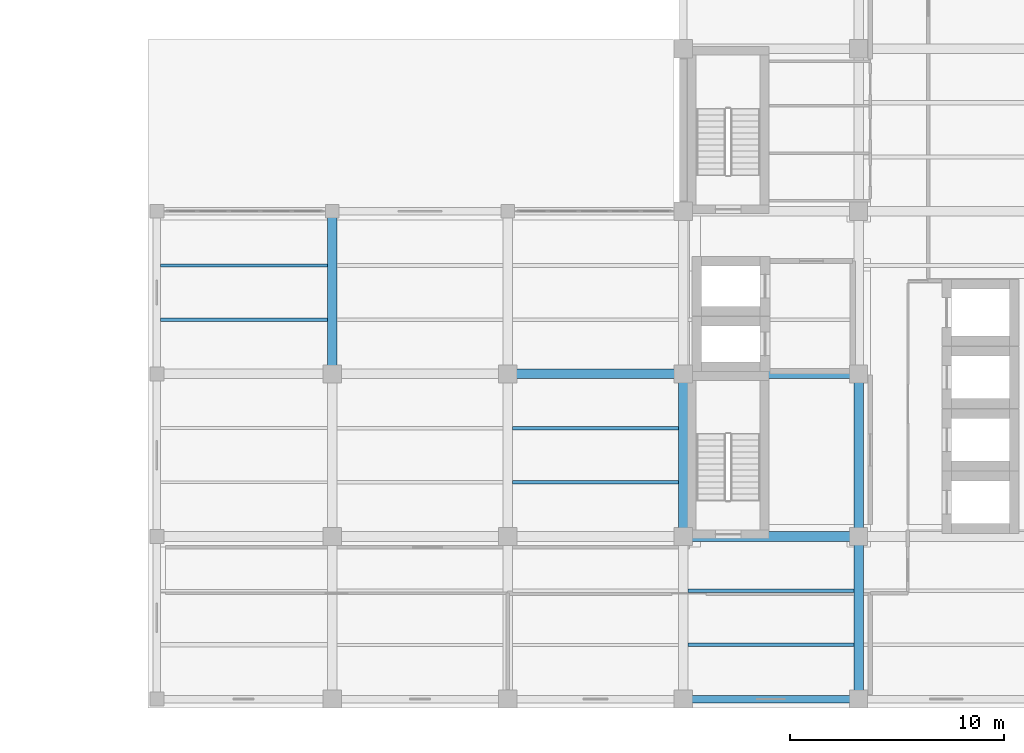
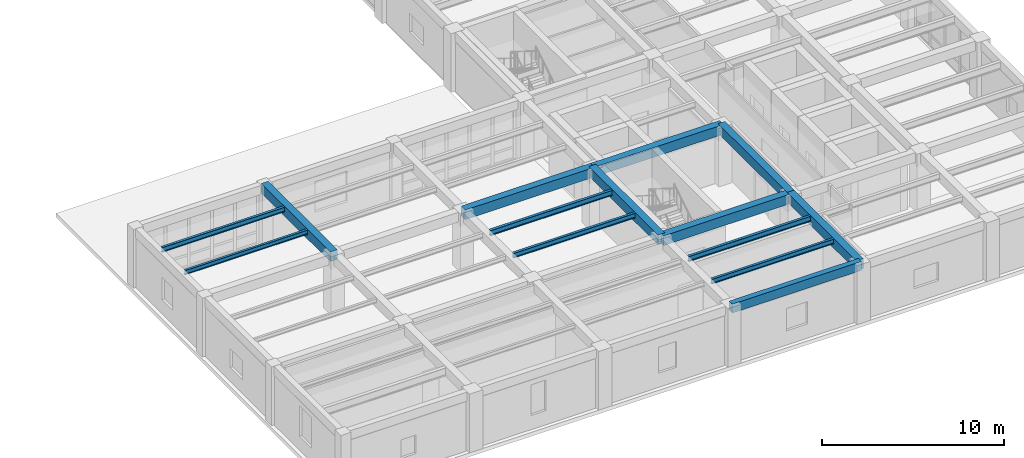
# One storey, part 3 of 22: 14 beams.
"""IFC4 building model written with IfcOpenShell, lengths in metres."""

import ifcopenshell
import ifcopenshell.guid

model = None  # the IFC model being written
_history = None  # IfcOwnerHistory: only IFC2X3 demands one
_inside = {}  # id of a spatial element -> (the spatial element, [elements in it])
_under = {}  # id of a project, library or spatial element -> (it, [spatial elements below it])
_declared = {}  # id of a project -> (the project, [libraries it declares])
_typed = {}  # id of a type object -> (the type object, [elements of that type])
_made_of = {}  # id of a material, layer set ... -> (it, [elements and type objects made of it])


def new_model(schema):
    """Start an empty IFC model of exactly this schema.

    Asked for "IFC4X3", IfcOpenShell would pick the latest addendum, in which some entities
    have other attributes; the version numbers below select the first issue.
    IFC2X3 requires an IfcOwnerHistory on every rooted entity: one is made here for all.
    """
    global model, _history
    if schema == "IFC4X3":
        model = ifcopenshell.file(schema_version=(4, 3, 0, 0))
    else:
        model = ifcopenshell.file(schema=schema)
    _inside.clear()
    _under.clear()
    _declared.clear()
    _typed.clear()
    _made_of.clear()
    _history = None
    if model.schema == "IFC2X3":
        org = make("IfcOrganization", Name="unknown")
        user = make(
            "IfcPersonAndOrganization",
            ThePerson=make("IfcPerson", FamilyName="unknown"),
            TheOrganization=org,
        )
        app = make(
            "IfcApplication",
            ApplicationDeveloper=org,
            Version="unknown",
            ApplicationFullName="unknown",
            ApplicationIdentifier="unknown",
        )
        _history = make(
            "IfcOwnerHistory",
            OwningUser=user,
            OwningApplication=app,
            ChangeAction="ADDED",
            CreationDate=0,
        )
    return model


def make(cls, **values):
    """One entity of the class cls with the attributes given. An attribute that is None is left unset."""
    return model.create_entity(
        cls, **{name: value for name, value in values.items() if value is not None}
    )


def rooted(cls, **values):
    """An entity with a GlobalId (a new one), such as an element, a storey or a relation."""
    return make(cls, GlobalId=ifcopenshell.guid.new(), OwnerHistory=_history, **values)


def si_unit(unit_type, name, prefix=None):
    """IfcSIUnit, for example si_unit("LENGTHUNIT", "METRE", prefix="MILLI")."""
    return make("IfcSIUnit", UnitType=unit_type, Prefix=prefix, Name=name)


def assignment(units):
    """IfcUnitAssignment: the units of a project."""
    return None if units is None else make("IfcUnitAssignment", Units=units)


def point(xyz):
    """IfcCartesianPoint."""
    return None if xyz is None else make("IfcCartesianPoint", Coordinates=xyz)


def direction(xyz):
    """IfcDirection."""
    return None if xyz is None else make("IfcDirection", DirectionRatios=xyz)


def frame(location, z_axis=None, x_axis=None):
    """IfcAxis2Placement3D, a coordinate frame: its origin and axes. An axis left out is left unset."""
    return make(
        "IfcAxis2Placement3D",
        Location=point(location),
        Axis=direction(z_axis),
        RefDirection=direction(x_axis),
    )


def frame_2d(location, x_axis=None):
    """IfcAxis2Placement2D, a coordinate frame in the plane: its origin and x axis."""
    return make(
        "IfcAxis2Placement2D", Location=point(location), RefDirection=direction(x_axis)
    )


def origin():
    """The frame at (0, 0, 0) with its axes left unset."""
    return frame((0.0, 0.0, 0.0))


def origin_2d():
    """The frame at (0, 0) in the plane with its x axis left unset."""
    return frame_2d((0.0, 0.0))


def place(relative_to, where):
    """IfcLocalPlacement: puts the frame where relative to a parent placement (None: the world)."""
    return make(
        "IfcLocalPlacement", PlacementRelTo=relative_to, RelativePlacement=where
    )


def context(
    kind, dimensions, precision=None, world=None, true_north=None, identifier=None
):
    """IfcGeometricRepresentationContext, for example the 3D "Model" context."""
    return make(
        "IfcGeometricRepresentationContext",
        ContextIdentifier=identifier,
        ContextType=kind,
        CoordinateSpaceDimension=dimensions,
        Precision=precision,
        WorldCoordinateSystem=world,
        TrueNorth=true_north,
    )


def subcontext(parent, identifier, kind, view, scale=None):
    """IfcGeometricRepresentationSubContext, for example "Body" below "Model"."""
    return make(
        "IfcGeometricRepresentationSubContext",
        ContextIdentifier=identifier,
        ContextType=kind,
        ParentContext=parent,
        TargetScale=scale,
        TargetView=view,
    )


def project(units=None, contexts=None):
    """IfcProject with its units and contexts."""
    return rooted(
        "IfcProject",
        Name="project",
        RepresentationContexts=contexts,
        UnitsInContext=assignment(units),
    )


def spatial(cls, under=None, at=None, **own):
    """A site, building, storey or space (cls), placed at a placement, below another one or the project."""
    s = rooted(cls, ObjectPlacement=at, **own)
    if under is not None:
        _under.setdefault(under.id(), (under, []))[1].append(s)
    return s


def profile(cls, at=None, kind="AREA", **sizes):
    """A parametric profile (cls). Its sizes go by their IFC names, for example OverallWidth=200.0."""
    return make(cls, ProfileType=kind, Position=at, **sizes)


def rectangle(**sizes):
    """IfcRectangleProfileDef."""
    return profile("IfcRectangleProfileDef", **sizes)


def i_section(**sizes):
    """IfcIShapeProfileDef."""
    return profile("IfcIShapeProfileDef", **sizes)


def extrude(swept, where, along, depth):
    """IfcExtrudedAreaSolid: the profile swept, set in the frame where, extruded along a direction by depth."""
    return make(
        "IfcExtrudedAreaSolid",
        SweptArea=swept,
        Position=where,
        ExtrudedDirection=direction(along),
        Depth=depth,
    )


def shape(context_of_items, identifier, shape_type, items):
    """IfcShapeRepresentation: the items that make up one representation, for example the "Body"."""
    return make(
        "IfcShapeRepresentation",
        ContextOfItems=context_of_items,
        RepresentationIdentifier=identifier,
        RepresentationType=shape_type,
        Items=items,
    )


def material(Name=None, Category=None):
    """IfcMaterial."""
    return make("IfcMaterial", Name=Name, Category=Category)


def material_profile(
    of_material, cross_section, Name=None, Category=None, Priority=None
):
    """IfcMaterialProfile: a cross section and its material."""
    return make(
        "IfcMaterialProfile",
        Name=Name,
        Material=of_material,
        Profile=cross_section,
        Priority=Priority,
        Category=Category,
    )


def profile_set(profiles, Name=None, composite=None):
    """IfcMaterialProfileSet."""
    return make(
        "IfcMaterialProfileSet",
        Name=Name,
        MaterialProfiles=profiles,
        CompositeProfile=composite,
    )


def made_of(thing, what):
    """Note that an element or type object is made of a material, layer set ...; save() writes the relation."""
    if what is not None:
        _made_of.setdefault(what.id(), (what, []))[1].append(thing)
    return thing


def type_object(cls, material=None, **own):
    """A type object (cls), such as IfcWallType, which elements share."""
    return made_of(rooted(cls, **own), material)


def element(
    cls,
    number,
    at=None,
    inside=None,
    cuts=None,
    type_object=None,
    material=None,
    context=None,
    identifier="Body",
    shape_type=None,
    held_by="IfcProductDefinitionShape",
    body=None,
    shapes=None,
    **own,
):
    """One element of the class cls, such as IfcWall. Its Tag is "e" and its number.

    at: its placement. inside: the storey or other place that contains it. cuts: it is an
    opening in that element (IfcRelVoidsElement). A single representation is given by context,
    identifier, shape_type and body (its items); several are given by shapes. held_by: the class
    of the entity that holds the representations. save() writes the other relations.
    """
    e = rooted(cls, Tag="e%d" % number, ObjectPlacement=at, **own)
    if body is not None:
        shapes = [shape(context, identifier, shape_type, body)]
    if shapes is not None:
        e.Representation = make(held_by, Representations=shapes)
    if inside is not None:
        _inside.setdefault(inside.id(), (inside, []))[1].append(e)
    if cuts is not None:
        rooted(
            "IfcRelVoidsElement", RelatingBuildingElement=cuts, RelatedOpeningElement=e
        )
    if type_object is not None:
        _typed.setdefault(type_object.id(), (type_object, []))[1].append(e)
    return made_of(e, material)


def aggregate(whole, parts):
    """IfcRelAggregates: a whole, such as a stair, and the parts it consists of."""
    return rooted("IfcRelAggregates", RelatingObject=whole, RelatedObjects=parts)


def save(model, path):
    """Write the relations noted so far, then the file.

    IfcRelAggregates (storeys below a building ...), IfcRelContainedInSpatialStructure (elements
    in a storey), IfcRelDefinesByType, IfcRelAssociatesMaterial and IfcRelDeclares: one each for
    every whole, place, type object, material and project.
    """
    for whole, parts in _under.values():
        aggregate(whole, parts)
    for where, things in _inside.values():
        rooted(
            "IfcRelContainedInSpatialStructure",
            RelatedElements=things,
            RelatingStructure=where,
        )
    for kind, things in _typed.values():
        rooted("IfcRelDefinesByType", RelatedObjects=things, RelatingType=kind)
    for what, things in _made_of.values():
        rooted("IfcRelAssociatesMaterial", RelatedObjects=things, RelatingMaterial=what)
    for by, libraries in _declared.values():
        rooted("IfcRelDeclares", RelatingContext=by, RelatedDefinitions=libraries)
    model.write(path)


model = new_model("IFC4")

# Units and contexts
model_context = context("Model", 3, precision=1e-05, world=origin(), true_north=direction((0.0, 1.0)))
body_context = subcontext(model_context, "Body", "Model", "MODEL_VIEW")
ifc_project = project(units=[si_unit("LENGTHUNIT", "METRE"), si_unit("AREAUNIT", "SQUARE_METRE"), si_unit("VOLUMEUNIT", "CUBIC_METRE"), si_unit("PLANEANGLEUNIT", "RADIAN"), si_unit("MASSUNIT", "GRAM", prefix="KILO")], contexts=[model_context])

# Site, building, storey
site_placement = place(None, origin())
site = spatial("IfcSite", under=ifc_project, at=site_placement, CompositionType="ELEMENT")
building_placement = place(site_placement, origin())
building = spatial("IfcBuilding", under=site, at=building_placement, Name="Qandaris Square Conservatory and Botanical Centre", CompositionType="ELEMENT")
storey_placement = place(building_placement, frame((0.0, 0.0, 19.800048828125)))
storey = spatial("IfcBuildingStorey", under=building, at=storey_placement, Name="L04", CompositionType="ELEMENT", Elevation=19.800048828125)

# Beams
ifc_material_1 = material(Name="Steel S355", Category="steel")
ifc_material_profile_1 = material_profile(ifc_material_1, i_section(OverallWidth=0.14990234375, OverallDepth=0.300048828125, WebThickness=0.007080078125, FlangeThickness=0.0107421875, FilletRadius=0.014892578125, at=origin_2d()), Name="IPE 300")
ifc_profile_set_1 = profile_set([ifc_material_profile_1], Name="Steel S355")
beam_type_1 = type_object("IfcBeamType", Name="Composite Lab Joist IPE 300", PredefinedType="JOIST", material=ifc_profile_set_1)
beam_1_placement = place(storey_placement, frame((114.77490234375, 34.333251953125, 3.780029296875), z_axis=(1.0, 0.0, 0.0), x_axis=(0.0, 1.0, 0.0)))
element("IfcBeam", 1, at=beam_1_placement, inside=storey, type_object=beam_type_1, Name="L04 Composite Joist 1771", PredefinedType="JOIST", context=body_context, shape_type="SweptSolid", body=[
    extrude(i_section(OverallWidth=0.14990234375, OverallDepth=0.300048828125, WebThickness=0.007080078125, FlangeThickness=0.0107421875, FilletRadius=0.014892578125, at=origin_2d()), origin(), (0.0, 0.0, 1.0), 7.800048828125),
])
ifc_material_profile_2 = material_profile(ifc_material_1, i_section(OverallWidth=0.159912109375, OverallDepth=0.330078125, WebThickness=0.007568359375, FlangeThickness=0.011474609375, FilletRadius=0.01806640625, at=origin_2d()), Name="IPE 330")
ifc_profile_set_2 = profile_set([ifc_material_profile_2], Name="Steel S355")
beam_type_2 = type_object("IfcBeamType", Name="Composite Lab Joist IPE 330", PredefinedType="JOIST", material=ifc_profile_set_2)
beam_2_placement = place(storey_placement, frame((114.77490234375, 36.86669921875, 3.764892578125), z_axis=(1.0, 0.0, 0.0), x_axis=(0.0, 1.0, 0.0)))
element("IfcBeam", 2, at=beam_2_placement, inside=storey, type_object=beam_type_2, Name="L04 Composite Joist 1772", PredefinedType="JOIST", context=body_context, shape_type="SweptSolid", body=[
    extrude(i_section(OverallWidth=0.159912109375, OverallDepth=0.330078125, WebThickness=0.007568359375, FlangeThickness=0.011474609375, FilletRadius=0.01806640625, at=origin_2d()), origin(), (0.0, 0.0, 1.0), 7.800048828125),
])
for number, where, z_axis, x_axis, name in (
    (3, (131.22509765625, 26.7333984375, 3.764892578125), (1.0, 0.0, 0.0), (0.0, 1.0, 0.0), "L04 Composite Joist 1781"),
    (4, (139.425048828125, 19.13330078125, 3.764892578125), (1.0, 0.0, 0.0), (0.0, 1.0, 0.0), "L04 Composite Joist 1785"),
):
    element("IfcBeam", number, at=place(storey_placement, frame(where, z_axis=z_axis, x_axis=x_axis)), inside=storey, type_object=beam_type_2, Name=name, PredefinedType="JOIST", context=body_context, shape_type="SweptSolid", body=[
        extrude(i_section(OverallWidth=0.159912109375, OverallDepth=0.330078125, WebThickness=0.007568359375, FlangeThickness=0.011474609375, FilletRadius=0.01806640625, at=origin_2d()), origin(), (0.0, 0.0, 1.0), 7.75),
    ])
ifc_material_profile_3 = material_profile(ifc_material_1, i_section(OverallWidth=0.169921875, OverallDepth=0.360107421875, WebThickness=0.008056640625, FlangeThickness=0.0126953125, FilletRadius=0.01806640625, at=origin_2d()), Name="IPE 360")
ifc_profile_set_3 = profile_set([ifc_material_profile_3], Name="Steel S355")
beam_type_3 = type_object("IfcBeamType", Name="Composite Lab Joist IPE 360", PredefinedType="JOIST", material=ifc_profile_set_3)
for number, where, z_axis, x_axis, name in (
    (5, (131.22509765625, 29.2666015625, 3.75), (1.0, 0.0, 0.0), (0.0, 1.0, 0.0), "L04 Composite Joist 1782"),
    (6, (139.425048828125, 21.666748046875, 3.75), (1.0, 0.0, 0.0), (0.0, 1.0, 0.0), "L04 Composite Joist 1786"),
):
    element("IfcBeam", number, at=place(storey_placement, frame(where, z_axis=z_axis, x_axis=x_axis)), inside=storey, type_object=beam_type_3, Name=name, PredefinedType="JOIST", context=body_context, shape_type="SweptSolid", body=[
        extrude(i_section(OverallWidth=0.169921875, OverallDepth=0.360107421875, WebThickness=0.008056640625, FlangeThickness=0.0126953125, FilletRadius=0.01806640625, at=origin_2d()), origin(), (0.0, 0.0, 1.0), 7.75),
    ])
ifc_material_2 = material(Name="Concrete C50/60", Category="concrete")
ifc_material_profile_4 = material_profile(ifc_material_2, rectangle(XDim=0.35009765625, YDim=0.60009765625, at=origin_2d()), Name="RC-SP 350x600")
ifc_profile_set_4 = profile_set([ifc_material_profile_4], Name="Concrete C50/60")
beam_type_4 = type_object("IfcBeamType", Name="RC Edge Spandrel Beam 350x600", PredefinedType="SPANDREL", material=ifc_profile_set_4)
beam_3_placement = place(storey_placement, frame((139.199951171875, 16.60009765625, 3.639892578125), z_axis=(1.0, 0.0, 0.0), x_axis=(0.0, 1.0, 0.0)))
element("IfcBeam", 7, at=beam_3_placement, inside=storey, type_object=beam_type_4, Name="L04 Frame Beam 1692", PredefinedType="SPANDREL", context=body_context, shape_type="SweptSolid", body=[
    extrude(rectangle(XDim=0.35009765625, YDim=0.60009765625, at=origin_2d()), origin(), (0.0, 0.0, 1.0), 8.199951171875),
])
ifc_material_profile_5 = material_profile(ifc_material_2, rectangle(XDim=0.449951171875, YDim=0.64990234375, at=origin_2d()), Name="RC-BM 450x650")
ifc_profile_set_5 = profile_set([ifc_material_profile_5], Name="Concrete C50/60")
beam_type_5 = type_object("IfcBeamType", Name="RC Floor Girder 450x650", PredefinedType="BEAM", material=ifc_profile_set_5)
for number, where, z_axis, x_axis, name in (
    (8, (139.199951171875, 24.199951171875, 3.614990234375), (1.0, 0.0, 0.0), (0.0, 1.0, 0.0), "L04 Frame Beam 1698"),
    (9, (131.0, 31.800048828125, 3.614990234375), (1.0, 0.0, 0.0), (0.0, 1.0, 0.0), "L04 Frame Beam 1703"),
    (10, (139.199951171875, 31.800048828125, 3.614990234375), (1.0, 0.0, 0.0), (0.0, 1.0, 0.0), "L04 Frame Beam 1704"),
):
    element("IfcBeam", number, at=place(storey_placement, frame(where, z_axis=z_axis, x_axis=x_axis)), inside=storey, type_object=beam_type_5, Name=name, PredefinedType="BEAM", context=body_context, shape_type="SweptSolid", body=[
        extrude(rectangle(XDim=0.449951171875, YDim=0.64990234375, at=origin_2d()), origin(), (0.0, 0.0, 1.0), 8.199951171875),
    ])
beam_4_placement = place(storey_placement, frame((122.800048828125, 31.800048828125, 3.614990234375), z_axis=(0.0, 1.0, 0.0), x_axis=(-1.0, 0.0, 0.0)))
element("IfcBeam", 11, at=beam_4_placement, inside=storey, type_object=beam_type_5, Name="L04 Frame Beam 1731", PredefinedType="BEAM", context=body_context, shape_type="SweptSolid", body=[
    extrude(rectangle(XDim=0.449951171875, YDim=0.64990234375, at=origin_2d()), origin(), (0.0, 0.0, 1.0), 7.599853515625),
])
beam_5_placement = place(storey_placement, frame((139.199951171875, 24.199951171875, 3.614990234375), z_axis=(0.0, 1.0, 0.0), x_axis=(-1.0, 0.0, 0.0)))
element("IfcBeam", 12, at=beam_5_placement, inside=storey, type_object=beam_type_5, Name="L04 Frame Beam 1736", PredefinedType="BEAM", context=body_context, shape_type="SweptSolid", body=[
    extrude(rectangle(XDim=0.449951171875, YDim=0.64990234375, at=origin_2d()), origin(), (0.0, 0.0, 1.0), 7.60009765625),
])
beam_6_placement = place(storey_placement, frame((147.39990234375, 16.60009765625, 3.614990234375), z_axis=(0.0, 1.0, 0.0), x_axis=(-1.0, 0.0, 0.0)))
element("IfcBeam", 13, at=beam_6_placement, inside=storey, type_object=beam_type_5, Name="L04 Frame Beam 1743", PredefinedType="BEAM", context=body_context, shape_type="SweptSolid", body=[
    extrude(rectangle(XDim=0.449951171875, YDim=0.64990234375, at=origin_2d()), origin(), (0.0, 0.0, 1.0), 7.599853515625),
])
beam_7_placement = place(storey_placement, frame((147.39990234375, 24.199951171875, 3.614990234375), z_axis=(0.0, 1.0, 0.0), x_axis=(-1.0, 0.0, 0.0)))
element("IfcBeam", 14, at=beam_7_placement, inside=storey, type_object=beam_type_5, Name="L04 Frame Beam 1744", PredefinedType="BEAM", context=body_context, shape_type="SweptSolid", body=[
    extrude(rectangle(XDim=0.449951171875, YDim=0.64990234375, at=origin_2d()), origin(), (0.0, 0.0, 1.0), 7.60009765625),
])

save(model, "model.ifc")
